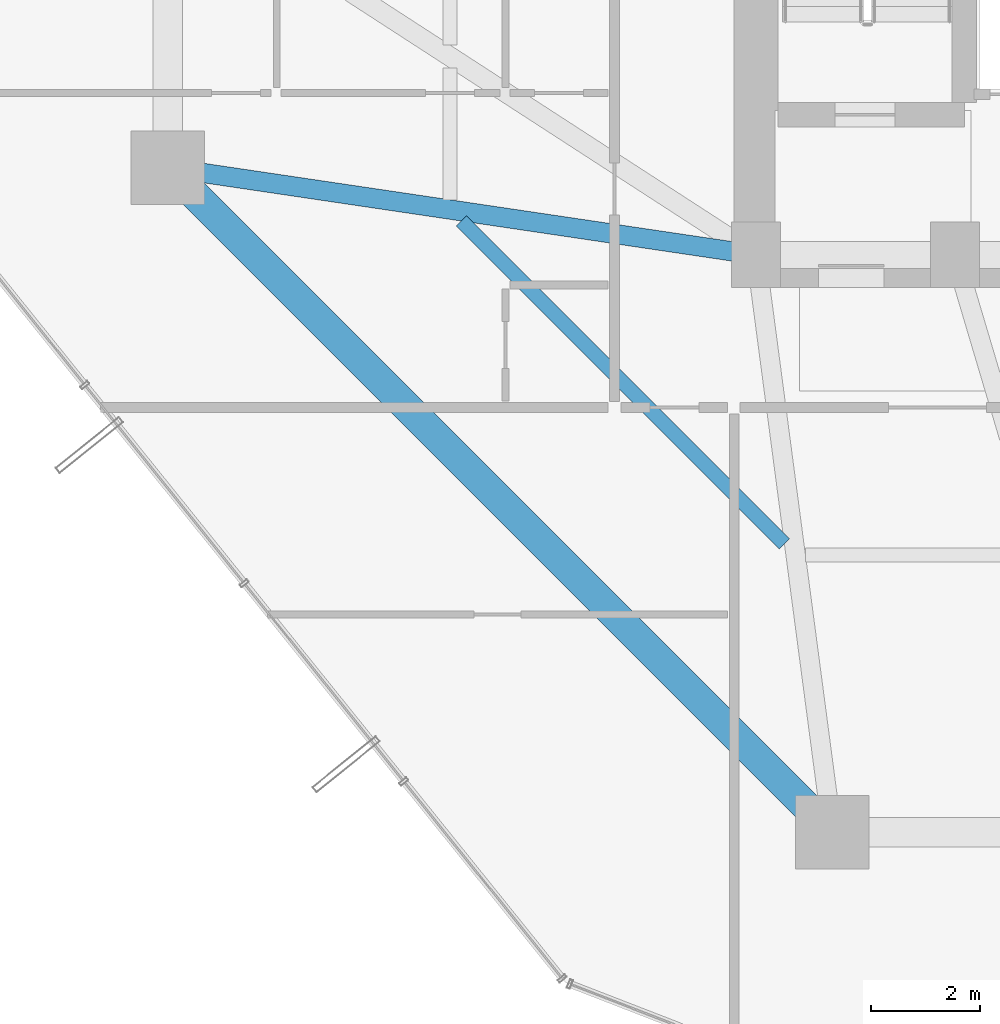
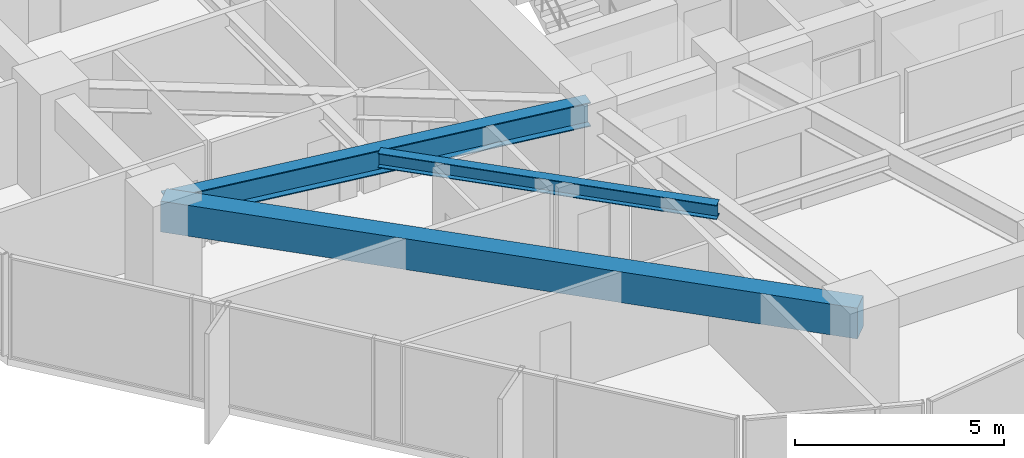
# One storey, part 5 of 37: 3 beams.
"""IFC4 building model written with IfcOpenShell, lengths in metres."""

from ifc_helpers import new_model, si_unit, direction, frame, origin, origin_2d, place, context, subcontext, project, spatial, rectangle, i_section, extrude, material, material_profile, profile_set, type_object, element, save


model = new_model("IFC4")

# Units and contexts
model_context = context("Model", 3, precision=1e-05, world=origin(), true_north=direction((0.0, 1.0)))
body_context = subcontext(model_context, "Body", "Model", "MODEL_VIEW")
ifc_project = project(units=[si_unit("LENGTHUNIT", "METRE"), si_unit("AREAUNIT", "SQUARE_METRE"), si_unit("VOLUMEUNIT", "CUBIC_METRE"), si_unit("PLANEANGLEUNIT", "RADIAN"), si_unit("MASSUNIT", "GRAM", prefix="KILO")], contexts=[model_context])

# Site, building, storey
site_placement = place(None, origin())
site = spatial("IfcSite", under=ifc_project, at=site_placement, CompositionType="ELEMENT")
building_placement = place(site_placement, origin())
building = spatial("IfcBuilding", under=site, at=building_placement, Name="Veraguas Prism Commons", CompositionType="ELEMENT")
storey_placement = place(building_placement, frame((0.0, 0.0, 53.300048828125)))
storey = spatial("IfcBuildingStorey", under=building, at=storey_placement, Name="L14", CompositionType="ELEMENT", Elevation=53.300048828125)

# Beams
ifc_material_1 = material(Name="Steel ASTM A992 Grade 50", Category="steel")
ifc_material_profile_1 = material_profile(ifc_material_1, i_section(OverallWidth=0.260986328125, OverallDepth=0.419921875, WebThickness=0.01171875, FlangeThickness=0.019287109375, at=origin_2d()), Name="W410X114")
ifc_profile_set_1 = profile_set([ifc_material_profile_1], Name="Steel ASTM A992 Grade 50")
beam_type_1 = type_object("IfcBeamType", Name="Lower Floor Joist W410x114", PredefinedType="JOIST", material=ifc_profile_set_1)
beam_1_placement = place(storey_placement, frame((11.79296875, 17.623046875, 2.760009765625), z_axis=(0.707092226423, -0.70712133565, 0.0), x_axis=(0.70712133565, 0.707092226423, 0.0)))
element("IfcBeam", 1, at=beam_1_placement, inside=storey, type_object=beam_type_1, Name="Composite Floor Joist L14-JS09", PredefinedType="JOIST", context=body_context, shape_type="SweptSolid", body=[
    extrude(i_section(OverallWidth=0.260986328125, OverallDepth=0.419921875, WebThickness=0.01171875, FlangeThickness=0.019287109375, at=origin_2d()), origin(), (0.0, 0.0, 1.0), 8.386962890625),
])
ifc_material_2 = material(Name="Concrete C50/60", Category="concrete")
ifc_material_profile_2 = material_profile(ifc_material_2, rectangle(XDim=0.550048828125, YDim=0.89990234375, at=origin_2d()), Name="RC550X900")
ifc_profile_set_2 = profile_set([ifc_material_profile_2], Name="Concrete C50/60")
beam_type_2 = type_object("IfcBeamType", Name="Perimeter Spandrel Lower RC 550x900", PredefinedType="SPANDREL", material=ifc_profile_set_2)
beam_2_placement = place(storey_placement, frame((6.39990234375, 18.60009765625, 2.52001953125), z_axis=(0.707106781187, -0.707106781187, 0.0), x_axis=(0.707106781187, 0.707106781187, 0.0)))
element("IfcBeam", 2, at=beam_2_placement, inside=storey, type_object=beam_type_2, Name="Perimeter Spandrel Beam L14-SP09", PredefinedType="SPANDREL", context=body_context, shape_type="SweptSolid", body=[
    extrude(rectangle(XDim=0.550048828125, YDim=0.89990234375, at=origin_2d()), origin(), (0.0, 0.0, 1.0), 17.253662109375),
])
ifc_material_profile_3 = material_profile(ifc_material_1, i_section(OverallWidth=0.35595703125, OverallDepth=0.700927734375, WebThickness=0.016845703125, FlangeThickness=0.02734375, at=origin_2d()), Name="W690X240")
ifc_profile_set_3 = profile_set([ifc_material_profile_3], Name="Steel ASTM A992 Grade 50")
beam_type_3 = type_object("IfcBeamType", Name="Zone 1 Radial Girder W690x240", PredefinedType="BEAM", material=ifc_profile_set_3)
beam_3_placement = place(storey_placement, frame((6.39990234375, 18.60009765625, 2.619384765625), z_axis=(0.989202261707, -0.146556765224, 0.0), x_axis=(0.146556765224, 0.989202261707, 0.0)))
element("IfcBeam", 3, at=beam_3_placement, inside=storey, type_object=beam_type_3, Name="Radial Floor Girder L14-RD09", PredefinedType="BEAM", context=body_context, shape_type="SweptSolid", body=[
    extrude(i_section(OverallWidth=0.35595703125, OverallDepth=0.700927734375, WebThickness=0.016845703125, FlangeThickness=0.02734375, at=origin_2d()), origin(), (0.0, 0.0, 1.0), 10.91796875),
])

save(model, "model.ifc")
